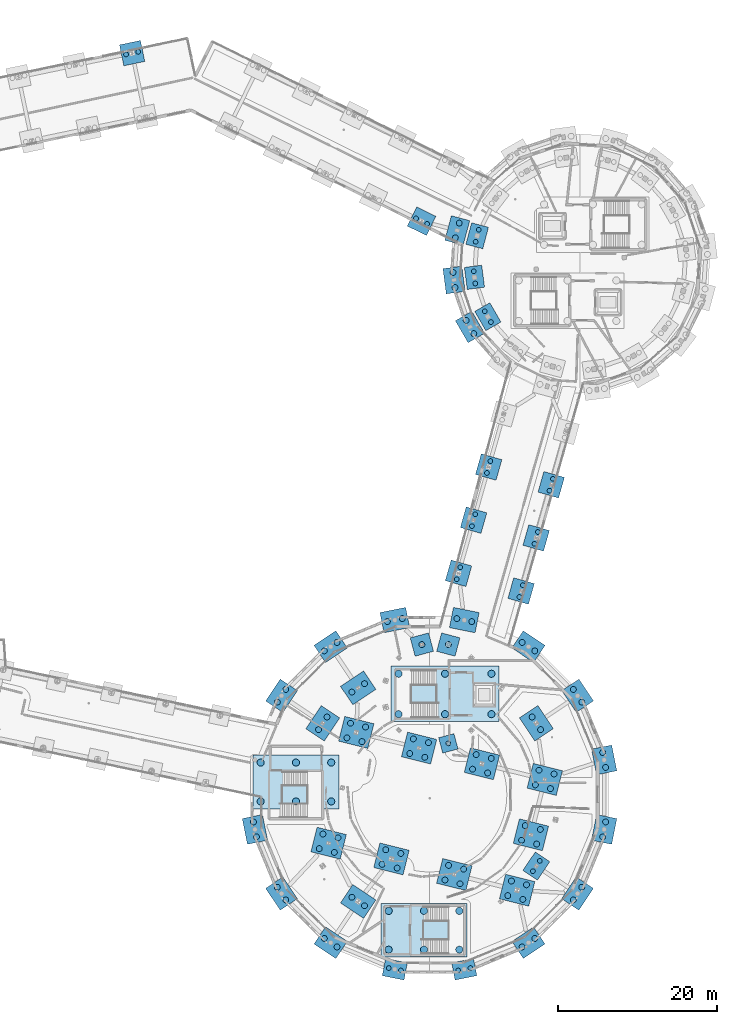
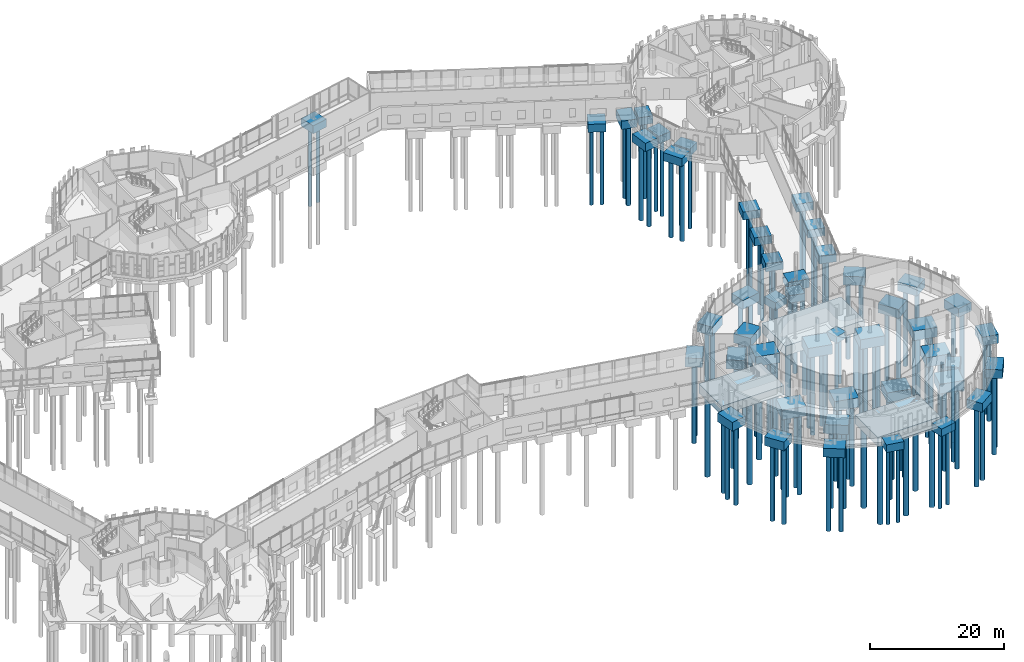
# One storey, part 3 of 113: 125 piles, 49 footings.
"""IFC4 building model written with IfcOpenShell, lengths in metres."""

from ifc_helpers import new_model, si_unit, direction, frame, origin, origin_2d, place, context, subcontext, project, spatial, rectangle, circle, extrude, material, material_profile, profile_set, type_object, element, save


model = new_model("IFC4")

# Units and contexts
model_context = context("Model", 3, precision=1e-05, world=origin(), true_north=direction((0.0, 1.0)))
body_context = subcontext(model_context, "Body", "Model", "MODEL_VIEW")
ifc_project = project(units=[si_unit("LENGTHUNIT", "METRE"), si_unit("AREAUNIT", "SQUARE_METRE"), si_unit("VOLUMEUNIT", "CUBIC_METRE"), si_unit("PLANEANGLEUNIT", "RADIAN"), si_unit("MASSUNIT", "GRAM", prefix="KILO")], contexts=[model_context])

# Site, building, storey
site_placement = place(None, origin())
site = spatial("IfcSite", under=ifc_project, at=site_placement, CompositionType="ELEMENT")
building_placement = place(site_placement, origin())
building = spatial("IfcBuilding", under=site, at=building_placement, Name="Wrenclough Park School", CompositionType="ELEMENT")
storey_placement = place(building_placement, origin())
storey = spatial("IfcBuildingStorey", under=building, at=storey_placement, Name="L00", CompositionType="ELEMENT", Elevation=0.0)

# Footings
ifc_material_1 = material(Name="Concrete C35/45", Category="concrete")
footing_type_1 = type_object("IfcFootingType", Name="STR-PC-01", PredefinedType="PILE_CAP", material=ifc_material_1)
footing_1_placement = place(storey_placement, frame((157.869384765625, 32.9697265625, -1.2001953125), z_axis=(0.0, 0.0, 1.0), x_axis=(0.965925826289, 0.258819045103, 0.0)))
element("IfcFooting", 1, at=footing_1_placement, inside=storey, type_object=footing_type_1, Name="Column pile cap FTG-DRM-026", PredefinedType="PILE_CAP", context=body_context, shape_type="SweptSolid", body=[
    extrude(rectangle(XDim=2.0, YDim=2.0, at=origin_2d()), origin(), (0.0, 0.0, 1.0), 1.199951171875),
])
footing_type_2 = type_object("IfcFootingType", Name="STR-PC-02", PredefinedType="PILE_CAP", material=ifc_material_1)
for number, where, z_axis, x_axis, name in (
    (2, (157.869384765625, 45.43017578125, -1.35009765625), (0.0, 0.0, 1.0), (-0.965925826289, 0.258819045103, 0.0), "Column pile cap FTG-DRM-020"),
    (3, (154.530517578125, 45.43017578125, -1.35009765625), (0.0, 0.0, 1.0), (-0.965925826289, -0.258819045103, 0.0), "Column pile cap FTG-DRM-021"),
):
    element("IfcFooting", number, at=place(storey_placement, frame(where, z_axis=z_axis, x_axis=x_axis)), inside=storey, type_object=footing_type_2, Name=name, PredefinedType="PILE_CAP", context=body_context, shape_type="SweptSolid", body=[
        extrude(rectangle(XDim=2.39990234375, YDim=2.39990234375, at=origin_2d()), origin(), (0.0, 0.0, 1.0), 1.35009765625),
    ])
footing_type_3 = type_object("IfcFootingType", Name="STR-PC-03", PredefinedType="PILE_CAP", material=ifc_material_1)
for number, where, z_axis, x_axis, name in (
    (4, (159.155517578125, 54.418701171875, -1.4501953125), (0.0, 0.0, 1.0), (0.272784025857, 0.962075296033, 0.0), "Column pile cap FTG-DRM-180"),
    (5, (167.04443359375, 52.181396484375, -1.4501953125), (0.0, 0.0, 1.0), (0.272784025857, 0.962075296033, 0.0), "Column pile cap FTG-DRM-181"),
    (6, (161.055419921875, 61.11865234375, -1.4501953125), (0.0, 0.0, 1.0), (0.272784025857, 0.962075296033, 0.0), "Column pile cap FTG-DRM-182"),
    (7, (168.944580078125, 58.88134765625, -1.4501953125), (0.0, 0.0, 1.0), (0.272784025857, 0.962075296033, 0.0), "Column pile cap FTG-DRM-183"),
    (8, (162.95556640625, 67.818603515625, -1.4501953125), (0.0, 0.0, 1.0), (0.272784025857, 0.962075296033, 0.0), "Column pile cap FTG-DRM-184"),
    (9, (170.844482421875, 65.581298828125, -1.4501953125), (0.0, 0.0, 1.0), (0.272784025857, 0.962075296033, 0.0), "Column pile cap FTG-DRM-185"),
    (10, (117.993408203125, 120.012939453125, -1.4501953125), (0.0, 0.0, 1.0), (0.978795946539, 0.204837728554, 0.0), "Column pile cap FTG-DRM-192"),
    (11, (154.494140625, 98.8251953125, -1.4501953125), (0.0, 0.0, 1.0), (0.896254315973, -0.443540529265, 0.0), "Column pile cap FTG-DRM-203"),
):
    element("IfcFooting", number, at=place(storey_placement, frame(where, z_axis=z_axis, x_axis=x_axis)), inside=storey, type_object=footing_type_3, Name=name, PredefinedType="PILE_CAP", context=body_context, shape_type="SweptSolid", body=[
        extrude(rectangle(XDim=2.699951171875, YDim=2.699951171875, at=origin_2d()), origin(), (0.0, 0.0, 1.0), 1.449951171875),
    ])
footing_type_4 = type_object("IfcFootingType", Name="STR-PC-05", PredefinedType="PILE_CAP", material=ifc_material_1)
for number, where, z_axis, x_axis, name in (
    (12, (158.996826171875, 97.654052734375, -1.5), (0.0, 0.0, 1.0), (-0.258819045103, -0.965925826289, 0.0), "Column pile cap FTG-DRM-118"),
    (13, (158.58740234375, 91.405029296875, -1.5), (0.0, 0.0, 1.0), (0.13052619222, -0.991444861374, 0.0), "Column pile cap FTG-DRM-119"),
    (14, (160.600341796875, 85.47509765625, -1.5), (0.0, 0.0, 1.0), (0.5, -0.866025403784, 0.0), "Column pile cap FTG-DRM-120"),
):
    element("IfcFooting", number, at=place(storey_placement, frame(where, z_axis=z_axis, x_axis=x_axis)), inside=storey, type_object=footing_type_4, Name=name, PredefinedType="PILE_CAP", context=body_context, shape_type="SweptSolid", body=[
        extrude(rectangle(XDim=3.199951171875, YDim=2.39990234375, at=origin_2d()), origin(), (0.0, 0.0, 1.0), 1.5),
    ])
footing_type_5 = type_object("IfcFootingType", Name="STR-PC-06", PredefinedType="PILE_CAP", material=ifc_material_1)
for number, where, z_axis, x_axis, name in (
    (15, (168.9697265625, 35.500244140625, -1.64990234375), (0.0, 0.0, 1.0), (-0.55557023302, 0.831469612303, 0.0), "Column pile cap FTG-DRM-059"),
    (16, (146.499755859375, 39.9697265625, -1.64990234375), (0.0, 0.0, 1.0), (-0.831469612303, -0.55557023302, 0.0), "Column pile cap FTG-DRM-061"),
    (17, (142.0302734375, 35.500244140625, -1.64990234375), (0.0, 0.0, 1.0), (-0.55557023302, -0.831469612303, 0.0), "Column pile cap FTG-DRM-062"),
    (18, (146.499755859375, 13.0302734375, -1.64990234375), (0.0, 0.0, 1.0), (0.831469612303, -0.55557023302, 0.0), "Column pile cap FTG-DRM-064"),
):
    element("IfcFooting", number, at=place(storey_placement, frame(where, z_axis=z_axis, x_axis=x_axis)), inside=storey, type_object=footing_type_5, Name=name, PredefinedType="PILE_CAP", context=body_context, shape_type="SweptSolid", body=[
        extrude(rectangle(XDim=3.5, YDim=2.800048828125, at=origin_2d()), origin(), (0.0, 0.0, 1.0), 1.64990234375),
    ])
footing_type_6 = type_object("IfcFootingType", Name="STR-PC-07", PredefinedType="PILE_CAP", material=ifc_material_1)
for number, where, z_axis, x_axis, name in (
    (19, (142.77197265625, 20.37744140625, -1.75), (0.0, 0.0, 1.0), (0.970295726276, -0.2419218956, 0.0), "Column pile cap FTG-DRM-001"),
    (20, (146.255615234375, 34.349609375, -1.75), (0.0, 0.0, 1.0), (0.970295726276, -0.2419218956, 0.0), "Column pile cap FTG-DRM-003"),
    (21, (150.696044921875, 18.401611328125, -1.75), (0.0, 0.0, 1.0), (0.970295726276, -0.2419218956, 0.0), "Column pile cap FTG-DRM-004"),
    (22, (154.1796875, 32.3740234375, -1.75), (0.0, 0.0, 1.0), (0.970295726276, -0.2419218956, 0.0), "Column pile cap FTG-DRM-005"),
    (23, (158.6201171875, 16.426025390625, -1.75), (0.0, 0.0, 1.0), (0.970295726276, -0.2419218956, 0.0), "Column pile cap FTG-DRM-006"),
    (24, (162.10400390625, 30.398193359375, -1.75), (0.0, 0.0, 1.0), (0.970295726276, -0.2419218956, 0.0), "Column pile cap FTG-DRM-007"),
    (25, (166.544189453125, 14.4501953125, -1.75), (0.0, 0.0, 1.0), (0.970295726276, -0.2419218956, 0.0), "Column pile cap FTG-DRM-008"),
    (26, (168.2861328125, 21.4365234375, -1.75), (0.0, 0.0, 1.0), (0.970295726276, -0.2419218956, 0.0), "Column pile cap FTG-DRM-009"),
    (27, (170.028076171875, 28.422607421875, -1.75), (0.0, 0.0, 1.0), (0.970295726276, -0.2419218956, 0.0), "Column pile cap FTG-DRM-010"),
):
    element("IfcFooting", number, at=place(storey_placement, frame(where, z_axis=z_axis, x_axis=x_axis)), inside=storey, type_object=footing_type_6, Name=name, PredefinedType="PILE_CAP", context=body_context, shape_type="SweptSolid", body=[
        extrude(rectangle(XDim=3.800048828125, YDim=3.199951171875, at=origin_2d()), origin(), (0.0, 0.0, 1.0), 1.75),
    ])
footing_type_7 = type_object("IfcFootingType", Name="STR-PC-09", PredefinedType="PILE_CAP", material=ifc_material_1)
for number, where, z_axis, x_axis, name in (
    (28, (151.1201171875, 4.4814453125, -1.39990234375), (0.0, 0.0, 1.0), (0.980785280403, -0.195090322016, 0.0), "Column pile cap FTG-DRM-054"),
    (29, (159.8798828125, 4.4814453125, -1.39990234375), (0.0, 0.0, 1.0), (0.980785280403, 0.195090322016, 0.0), "Column pile cap FTG-DRM-055"),
    (30, (168.9697265625, 17.499755859375, -1.39990234375), (0.0, 0.0, 1.0), (0.55557023302, 0.831469612303, 0.0), "Column pile cap FTG-DRM-066"),
    (31, (161.50830078125, 96.981201171875, -1.39990234375), (0.0, 0.0, 1.0), (-0.258819045103, -0.965925826289, 0.0), "Column pile cap FTG-DRM-134"),
    (32, (161.1650390625, 91.744384765625, -1.39990234375), (0.0, 0.0, 1.0), (0.13052619222, -0.991444861374, 0.0), "Column pile cap FTG-DRM-135"),
    (33, (162.85205078125, 86.77490234375, -1.39990234375), (0.0, 0.0, 1.0), (0.5, -0.866025403784, 0.0), "Column pile cap FTG-DRM-136"),
):
    element("IfcFooting", number, at=place(storey_placement, frame(where, z_axis=z_axis, x_axis=x_axis)), inside=storey, type_object=footing_type_7, Name=name, PredefinedType="PILE_CAP", context=body_context, shape_type="SweptSolid", body=[
        extrude(rectangle(XDim=2.800048828125, YDim=2.199951171875, at=origin_2d()), origin(), (0.0, 0.0, 1.0), 1.39990234375),
    ])
footing_type_8 = type_object("IfcFootingType", Name="STR-PC-10", PredefinedType="PILE_CAP", material=ifc_material_1)
for number, where, z_axis, x_axis, name in (
    (34, (177.5185546875, 30.8798828125, -1.60009765625), (0.0, 0.0, 1.0), (-0.195090322016, 0.980785280403, 0.0), "Column pile cap FTG-DRM-043"),
    (35, (174.16650390625, 38.97265625, -1.60009765625), (0.0, 0.0, 1.0), (-0.55557023302, 0.831469612303, 0.0), "Column pile cap FTG-DRM-044"),
    (36, (167.97265625, 45.16650390625, -1.60009765625), (0.0, 0.0, 1.0), (-0.831469612303, 0.55557023302, 0.0), "Column pile cap FTG-DRM-045"),
    (37, (159.8798828125, 48.5185546875, -1.60009765625), (0.0, 0.0, 1.0), (-0.980785280403, 0.195090322016, 0.0), "Column pile cap FTG-DRM-046"),
    (38, (151.1201171875, 48.5185546875, -1.60009765625), (0.0, 0.0, 1.0), (-0.980785280403, -0.195090322016, 0.0), "Column pile cap FTG-DRM-047"),
    (39, (143.02734375, 45.16650390625, -1.60009765625), (0.0, 0.0, 1.0), (-0.831469612303, -0.55557023302, 0.0), "Column pile cap FTG-DRM-048"),
    (40, (136.83349609375, 38.97265625, -1.60009765625), (0.0, 0.0, 1.0), (-0.55557023302, -0.831469612303, 0.0), "Column pile cap FTG-DRM-049"),
    (41, (133.4814453125, 22.1201171875, -1.60009765625), (0.0, 0.0, 1.0), (0.195090322016, -0.980785280403, 0.0), "Column pile cap FTG-DRM-051"),
    (42, (136.83349609375, 14.02734375, -1.60009765625), (0.0, 0.0, 1.0), (0.55557023302, -0.831469612303, 0.0), "Column pile cap FTG-DRM-052"),
    (43, (143.02734375, 7.83349609375, -1.60009765625), (0.0, 0.0, 1.0), (0.831469612303, -0.55557023302, 0.0), "Column pile cap FTG-DRM-053"),
    (44, (167.97265625, 7.83349609375, -1.60009765625), (0.0, 0.0, 1.0), (0.831469612303, 0.55557023302, 0.0), "Column pile cap FTG-DRM-056"),
    (45, (174.16650390625, 14.02734375, -1.60009765625), (0.0, 0.0, 1.0), (0.55557023302, 0.831469612303, 0.0), "Column pile cap FTG-DRM-057"),
    (46, (177.5185546875, 22.1201171875, -1.60009765625), (0.0, 0.0, 1.0), (0.195090322016, 0.980785280403, 0.0), "Column pile cap FTG-DRM-058"),
):
    element("IfcFooting", number, at=place(storey_placement, frame(where, z_axis=z_axis, x_axis=x_axis)), inside=storey, type_object=footing_type_8, Name=name, PredefinedType="PILE_CAP", context=body_context, shape_type="SweptSolid", body=[
        extrude(rectangle(XDim=3.300048828125, YDim=2.60009765625, at=origin_2d()), origin(), (0.0, 0.0, 1.0), 1.60009765625),
    ])
ifc_material_2 = material(Name="Concrete C40/50", Category="concrete")
footing_type_9 = type_object("IfcFootingType", Name="STR-PC-CORE1", PredefinedType="PILE_CAP", material=ifc_material_2)
footing_2_placement = place(storey_placement, frame((157.449951171875, 39.199951171875, -3.60009765625), z_axis=(0.0, 0.0, 1.0), x_axis=(1.0, 0.0, 0.0)))
element("IfcFooting", 47, at=footing_2_placement, inside=storey, type_object=footing_type_9, Name="Core C1 combined pile cap", PredefinedType="PILE_CAP", context=body_context, shape_type="SweptSolid", body=[
    extrude(rectangle(XDim=13.60009765625, YDim=7.0, at=origin_2d()), origin(), (0.0, 0.0, 1.0), 1.800048828125),
])
footing_type_10 = type_object("IfcFootingType", Name="STR-PC-CORE3", PredefinedType="PILE_CAP", material=ifc_material_2)
for number, where, z_axis, x_axis, name in (
    (48, (154.800048828125, 9.39990234375, -1.64990234375), (0.0, 0.0, 1.0), (1.0, 0.0, 0.0), "Core C1B combined pile cap"),
    (49, (138.64990234375, 28.10009765625, -1.64990234375), (0.0, 0.0, 1.0), (1.0, 0.0, 0.0), "Core C1C combined pile cap"),
):
    element("IfcFooting", number, at=place(storey_placement, frame(where, z_axis=z_axis, x_axis=x_axis)), inside=storey, type_object=footing_type_10, Name=name, PredefinedType="PILE_CAP", context=body_context, shape_type="SweptSolid", body=[
        extrude(rectangle(XDim=10.800048828125, YDim=6.800048828125, at=origin_2d()), origin(), (0.0, 0.0, 1.0), 1.64990234375),
    ])

# Piles
ifc_material_profile_1 = material_profile(ifc_material_1, circle(Radius=0.300048828125, at=origin_2d()), Name="BORED PILE D600")
ifc_profile_set_1 = profile_set([ifc_material_profile_1], Name="Concrete C35/45")
pile_type_1 = type_object("IfcPileType", Name="STR-PILE-600", PredefinedType="BORED", material=ifc_profile_set_1)
for number, where, z_axis, x_axis, name in (
    (50, (157.869384765625, 32.9697265625, -1.10009765625), (0.0, 0.0, -1.0), (1.0, 0.0, 0.0), "Rotary bored pile FTG-DRM-026-1"),
    (51, (150.355224609375, 4.633544921875, -1.300048828125), (0.0, 0.0, -1.0), (1.0, 0.0, 0.0), "Rotary bored pile FTG-DRM-054-1"),
    (52, (151.88525390625, 4.3291015625, -1.300048828125), (0.0, 0.0, -1.0), (1.0, 0.0, 0.0), "Rotary bored pile FTG-DRM-054-2"),
    (53, (159.11474609375, 4.3291015625, -1.300048828125), (0.0, 0.0, -1.0), (1.0, 0.0, 0.0), "Rotary bored pile FTG-DRM-055-1"),
    (54, (160.644775390625, 4.633544921875, -1.300048828125), (0.0, 0.0, -1.0), (1.0, 0.0, 0.0), "Rotary bored pile FTG-DRM-055-2"),
    (55, (168.53662109375, 16.851318359375, -1.300048828125), (0.0, 0.0, -1.0), (1.0, 0.0, 0.0), "Rotary bored pile FTG-DRM-066-1"),
    (56, (169.403076171875, 18.148193359375, -1.300048828125), (0.0, 0.0, -1.0), (1.0, 0.0, 0.0), "Rotary bored pile FTG-DRM-066-2"),
    (57, (161.710205078125, 97.734619140625, -1.300048828125), (0.0, 0.0, -1.0), (1.0, 0.0, 0.0), "Rotary bored pile FTG-DRM-134-1"),
    (58, (161.306396484375, 96.227783203125, -1.300048828125), (0.0, 0.0, -1.0), (1.0, 0.0, 0.0), "Rotary bored pile FTG-DRM-134-2"),
    (59, (161.063232421875, 92.517578125, -1.300048828125), (0.0, 0.0, -1.0), (1.0, 0.0, 0.0), "Rotary bored pile FTG-DRM-135-1"),
    (60, (161.266845703125, 90.97119140625, -1.300048828125), (0.0, 0.0, -1.0), (1.0, 0.0, 0.0), "Rotary bored pile FTG-DRM-135-2"),
    (61, (162.4619140625, 87.450439453125, -1.300048828125), (0.0, 0.0, -1.0), (1.0, 0.0, 0.0), "Rotary bored pile FTG-DRM-136-1"),
    (62, (163.241943359375, 86.099609375, -1.300048828125), (0.0, 0.0, -1.0), (1.0, 0.0, 0.0), "Rotary bored pile FTG-DRM-136-2"),
):
    element("IfcPile", number, at=place(storey_placement, frame(where, z_axis=z_axis, x_axis=x_axis)), inside=storey, type_object=pile_type_1, Name=name, PredefinedType="BORED", context=body_context, shape_type="SweptSolid", body=[
        extrude(circle(Radius=0.300048828125, at=origin_2d()), origin(), (0.0, 0.0, 1.0), 13.89990234375),
    ])
for number, where, z_axis, x_axis, name in (
    (63, (158.942626953125, 53.668212890625, -1.35009765625), (0.0, 0.0, -1.0), (1.0, 0.0, 0.0), "Rotary bored pile FTG-DRM-180-1"),
    (64, (159.368408203125, 55.1689453125, -1.35009765625), (0.0, 0.0, -1.0), (1.0, 0.0, 0.0), "Rotary bored pile FTG-DRM-180-2"),
    (65, (166.831787109375, 51.430908203125, -1.35009765625), (0.0, 0.0, -1.0), (1.0, 0.0, 0.0), "Rotary bored pile FTG-DRM-181-1"),
    (66, (167.25732421875, 52.931884765625, -1.35009765625), (0.0, 0.0, -1.0), (1.0, 0.0, 0.0), "Rotary bored pile FTG-DRM-181-2"),
    (67, (160.8427734375, 60.3681640625, -1.35009765625), (0.0, 0.0, -1.0), (1.0, 0.0, 0.0), "Rotary bored pile FTG-DRM-182-1"),
    (68, (161.268310546875, 61.868896484375, -1.35009765625), (0.0, 0.0, -1.0), (1.0, 0.0, 0.0), "Rotary bored pile FTG-DRM-182-2"),
    (69, (168.731689453125, 58.131103515625, -1.35009765625), (0.0, 0.0, -1.0), (1.0, 0.0, 0.0), "Rotary bored pile FTG-DRM-183-1"),
    (70, (169.1572265625, 59.6318359375, -1.35009765625), (0.0, 0.0, -1.0), (1.0, 0.0, 0.0), "Rotary bored pile FTG-DRM-183-2"),
    (71, (162.74267578125, 67.068115234375, -1.35009765625), (0.0, 0.0, -1.0), (1.0, 0.0, 0.0), "Rotary bored pile FTG-DRM-184-1"),
    (72, (163.168212890625, 68.569091796875, -1.35009765625), (0.0, 0.0, -1.0), (1.0, 0.0, 0.0), "Rotary bored pile FTG-DRM-184-2"),
    (73, (170.631591796875, 64.8310546875, -1.35009765625), (0.0, 0.0, -1.0), (1.0, 0.0, 0.0), "Rotary bored pile FTG-DRM-185-1"),
    (74, (171.057373046875, 66.331787109375, -1.35009765625), (0.0, 0.0, -1.0), (1.0, 0.0, 0.0), "Rotary bored pile FTG-DRM-185-2"),
    (75, (117.22998046875, 119.853271484375, -1.35009765625), (0.0, 0.0, -1.0), (1.0, 0.0, 0.0), "Rotary bored pile FTG-DRM-192-1"),
    (76, (118.7568359375, 120.1728515625, -1.35009765625), (0.0, 0.0, -1.0), (1.0, 0.0, 0.0), "Rotary bored pile FTG-DRM-192-2"),
    (77, (153.794921875, 99.17138671875, -1.35009765625), (0.0, 0.0, -1.0), (1.0, 0.0, 0.0), "Rotary bored pile FTG-DRM-203-1"),
    (78, (155.193115234375, 98.479248046875, -1.35009765625), (0.0, 0.0, -1.0), (1.0, 0.0, 0.0), "Rotary bored pile FTG-DRM-203-2"),
):
    element("IfcPile", number, at=place(storey_placement, frame(where, z_axis=z_axis, x_axis=x_axis)), inside=storey, type_object=pile_type_1, Name=name, PredefinedType="BORED", context=body_context, shape_type="SweptSolid", body=[
        extrude(circle(Radius=0.300048828125, at=origin_2d()), origin(), (0.0, 0.0, 1.0), 14.14990234375),
    ])
ifc_material_profile_2 = material_profile(ifc_material_1, circle(Radius=0.375, at=origin_2d()), Name="BORED PILE D750")
ifc_profile_set_2 = profile_set([ifc_material_profile_2], Name="Concrete C35/45")
pile_type_2 = type_object("IfcPileType", Name="STR-PILE-750", PredefinedType="BORED", material=ifc_profile_set_2)
for number, where, z_axis, x_axis, name in (
    (79, (141.59130859375, 19.692626953125, -1.64990234375), (0.0, 0.0, -1.0), (1.0, 0.0, 0.0), "Rotary bored pile FTG-DRM-001-1"),
    (80, (143.4931640625, 19.218505859375, -1.64990234375), (0.0, 0.0, -1.0), (1.0, 0.0, 0.0), "Rotary bored pile FTG-DRM-001-2"),
    (81, (142.05078125, 21.536376953125, -1.64990234375), (0.0, 0.0, -1.0), (1.0, 0.0, 0.0), "Rotary bored pile FTG-DRM-001-3"),
    (82, (143.95263671875, 21.06201171875, -1.64990234375), (0.0, 0.0, -1.0), (1.0, 0.0, 0.0), "Rotary bored pile FTG-DRM-001-4"),
    (83, (145.074951171875, 33.6650390625, -1.64990234375), (0.0, 0.0, -1.0), (1.0, 0.0, 0.0), "Rotary bored pile FTG-DRM-003-1"),
    (84, (146.976806640625, 33.19091796875, -1.64990234375), (0.0, 0.0, -1.0), (1.0, 0.0, 0.0), "Rotary bored pile FTG-DRM-003-2"),
    (85, (145.53466796875, 35.508544921875, -1.64990234375), (0.0, 0.0, -1.0), (1.0, 0.0, 0.0), "Rotary bored pile FTG-DRM-003-3"),
    (86, (147.436279296875, 35.034423828125, -1.64990234375), (0.0, 0.0, -1.0), (1.0, 0.0, 0.0), "Rotary bored pile FTG-DRM-003-4"),
    (87, (149.515380859375, 17.717041015625, -1.64990234375), (0.0, 0.0, -1.0), (1.0, 0.0, 0.0), "Rotary bored pile FTG-DRM-004-1"),
    (88, (151.417236328125, 17.242919921875, -1.64990234375), (0.0, 0.0, -1.0), (1.0, 0.0, 0.0), "Rotary bored pile FTG-DRM-004-2"),
    (89, (149.97509765625, 19.560546875, -1.64990234375), (0.0, 0.0, -1.0), (1.0, 0.0, 0.0), "Rotary bored pile FTG-DRM-004-3"),
    (90, (151.876708984375, 19.08642578125, -1.64990234375), (0.0, 0.0, -1.0), (1.0, 0.0, 0.0), "Rotary bored pile FTG-DRM-004-4"),
    (91, (152.9990234375, 31.689208984375, -1.64990234375), (0.0, 0.0, -1.0), (1.0, 0.0, 0.0), "Rotary bored pile FTG-DRM-005-1"),
    (92, (154.90087890625, 31.215087890625, -1.64990234375), (0.0, 0.0, -1.0), (1.0, 0.0, 0.0), "Rotary bored pile FTG-DRM-005-2"),
    (93, (153.458740234375, 33.532958984375, -1.64990234375), (0.0, 0.0, -1.0), (1.0, 0.0, 0.0), "Rotary bored pile FTG-DRM-005-3"),
    (94, (155.360595703125, 33.05859375, -1.64990234375), (0.0, 0.0, -1.0), (1.0, 0.0, 0.0), "Rotary bored pile FTG-DRM-005-4"),
    (95, (157.439453125, 15.7412109375, -1.64990234375), (0.0, 0.0, -1.0), (1.0, 0.0, 0.0), "Rotary bored pile FTG-DRM-006-1"),
    (96, (159.34130859375, 15.26708984375, -1.64990234375), (0.0, 0.0, -1.0), (1.0, 0.0, 0.0), "Rotary bored pile FTG-DRM-006-2"),
    (97, (157.899169921875, 17.5849609375, -1.64990234375), (0.0, 0.0, -1.0), (1.0, 0.0, 0.0), "Rotary bored pile FTG-DRM-006-3"),
    (98, (159.80078125, 17.110595703125, -1.64990234375), (0.0, 0.0, -1.0), (1.0, 0.0, 0.0), "Rotary bored pile FTG-DRM-006-4"),
    (99, (160.923095703125, 29.713623046875, -1.64990234375), (0.0, 0.0, -1.0), (1.0, 0.0, 0.0), "Rotary bored pile FTG-DRM-007-1"),
    (100, (162.824951171875, 29.239501953125, -1.64990234375), (0.0, 0.0, -1.0), (1.0, 0.0, 0.0), "Rotary bored pile FTG-DRM-007-2"),
    (101, (161.3828125, 31.55712890625, -1.64990234375), (0.0, 0.0, -1.0), (1.0, 0.0, 0.0), "Rotary bored pile FTG-DRM-007-3"),
    (102, (163.28466796875, 31.0830078125, -1.64990234375), (0.0, 0.0, -1.0), (1.0, 0.0, 0.0), "Rotary bored pile FTG-DRM-007-4"),
    (103, (165.363525390625, 13.765625, -1.64990234375), (0.0, 0.0, -1.0), (1.0, 0.0, 0.0), "Rotary bored pile FTG-DRM-008-1"),
    (104, (167.265380859375, 13.29150390625, -1.64990234375), (0.0, 0.0, -1.0), (1.0, 0.0, 0.0), "Rotary bored pile FTG-DRM-008-2"),
    (105, (165.8232421875, 15.609130859375, -1.64990234375), (0.0, 0.0, -1.0), (1.0, 0.0, 0.0), "Rotary bored pile FTG-DRM-008-3"),
    (106, (167.72509765625, 15.135009765625, -1.64990234375), (0.0, 0.0, -1.0), (1.0, 0.0, 0.0), "Rotary bored pile FTG-DRM-008-4"),
    (107, (167.10546875, 20.751708984375, -1.64990234375), (0.0, 0.0, -1.0), (1.0, 0.0, 0.0), "Rotary bored pile FTG-DRM-009-1"),
    (108, (169.007080078125, 20.277587890625, -1.64990234375), (0.0, 0.0, -1.0), (1.0, 0.0, 0.0), "Rotary bored pile FTG-DRM-009-2"),
    (109, (167.56494140625, 22.595458984375, -1.64990234375), (0.0, 0.0, -1.0), (1.0, 0.0, 0.0), "Rotary bored pile FTG-DRM-009-3"),
    (110, (169.466796875, 22.12109375, -1.64990234375), (0.0, 0.0, -1.0), (1.0, 0.0, 0.0), "Rotary bored pile FTG-DRM-009-4"),
    (111, (168.847412109375, 27.73779296875, -1.64990234375), (0.0, 0.0, -1.0), (1.0, 0.0, 0.0), "Rotary bored pile FTG-DRM-010-1"),
    (112, (170.7490234375, 27.263671875, -1.64990234375), (0.0, 0.0, -1.0), (1.0, 0.0, 0.0), "Rotary bored pile FTG-DRM-010-2"),
    (113, (169.306884765625, 29.58154296875, -1.64990234375), (0.0, 0.0, -1.0), (1.0, 0.0, 0.0), "Rotary bored pile FTG-DRM-010-3"),
    (114, (171.208740234375, 29.107421875, -1.64990234375), (0.0, 0.0, -1.0), (1.0, 0.0, 0.0), "Rotary bored pile FTG-DRM-010-4"),
):
    element("IfcPile", number, at=place(storey_placement, frame(where, z_axis=z_axis, x_axis=x_axis)), inside=storey, type_object=pile_type_2, Name=name, PredefinedType="BORED", context=body_context, shape_type="SweptSolid", body=[
        extrude(circle(Radius=0.375, at=origin_2d()), origin(), (0.0, 0.0, 1.0), 14.550048828125),
    ])
for number, where, z_axis, x_axis, name in (
    (115, (157.869384765625, 45.43017578125, -1.25), (0.0, 0.0, -1.0), (1.0, 0.0, 0.0), "Rotary bored pile FTG-DRM-020-1"),
    (116, (154.530517578125, 45.43017578125, -1.25), (0.0, 0.0, -1.0), (1.0, 0.0, 0.0), "Rotary bored pile FTG-DRM-021-1"),
):
    element("IfcPile", number, at=place(storey_placement, frame(where, z_axis=z_axis, x_axis=x_axis)), inside=storey, type_object=pile_type_2, Name=name, PredefinedType="BORED", context=body_context, shape_type="SweptSolid", body=[
        extrude(circle(Radius=0.375, at=origin_2d()), origin(), (0.0, 0.0, 1.0), 13.75),
    ])
for number, where, z_axis, x_axis, name in (
    (117, (177.705810546875, 29.938232421875, -1.5), (0.0, 0.0, -1.0), (1.0, 0.0, 0.0), "Rotary bored pile FTG-DRM-043-1"),
    (118, (177.331298828125, 31.8212890625, -1.5), (0.0, 0.0, -1.0), (1.0, 0.0, 0.0), "Rotary bored pile FTG-DRM-043-2"),
    (119, (174.69970703125, 38.17431640625, -1.5), (0.0, 0.0, -1.0), (1.0, 0.0, 0.0), "Rotary bored pile FTG-DRM-044-1"),
    (120, (173.63330078125, 39.770751953125, -1.5), (0.0, 0.0, -1.0), (1.0, 0.0, 0.0), "Rotary bored pile FTG-DRM-044-2"),
    (121, (168.770751953125, 44.63330078125, -1.5), (0.0, 0.0, -1.0), (1.0, 0.0, 0.0), "Rotary bored pile FTG-DRM-045-1"),
    (122, (167.17431640625, 45.69970703125, -1.5), (0.0, 0.0, -1.0), (1.0, 0.0, 0.0), "Rotary bored pile FTG-DRM-045-2"),
    (123, (160.8212890625, 48.331298828125, -1.5), (0.0, 0.0, -1.0), (1.0, 0.0, 0.0), "Rotary bored pile FTG-DRM-046-1"),
    (124, (158.938232421875, 48.705810546875, -1.5), (0.0, 0.0, -1.0), (1.0, 0.0, 0.0), "Rotary bored pile FTG-DRM-046-2"),
    (125, (152.061767578125, 48.705810546875, -1.5), (0.0, 0.0, -1.0), (1.0, 0.0, 0.0), "Rotary bored pile FTG-DRM-047-1"),
    (126, (150.1787109375, 48.331298828125, -1.5), (0.0, 0.0, -1.0), (1.0, 0.0, 0.0), "Rotary bored pile FTG-DRM-047-2"),
    (127, (143.82568359375, 45.69970703125, -1.5), (0.0, 0.0, -1.0), (1.0, 0.0, 0.0), "Rotary bored pile FTG-DRM-048-1"),
    (128, (142.229248046875, 44.63330078125, -1.5), (0.0, 0.0, -1.0), (1.0, 0.0, 0.0), "Rotary bored pile FTG-DRM-048-2"),
    (129, (137.36669921875, 39.770751953125, -1.5), (0.0, 0.0, -1.0), (1.0, 0.0, 0.0), "Rotary bored pile FTG-DRM-049-1"),
    (130, (136.30029296875, 38.17431640625, -1.5), (0.0, 0.0, -1.0), (1.0, 0.0, 0.0), "Rotary bored pile FTG-DRM-049-2"),
    (131, (133.294189453125, 23.061767578125, -1.5), (0.0, 0.0, -1.0), (1.0, 0.0, 0.0), "Rotary bored pile FTG-DRM-051-1"),
    (132, (133.668701171875, 21.1787109375, -1.5), (0.0, 0.0, -1.0), (1.0, 0.0, 0.0), "Rotary bored pile FTG-DRM-051-2"),
    (133, (136.30029296875, 14.82568359375, -1.5), (0.0, 0.0, -1.0), (1.0, 0.0, 0.0), "Rotary bored pile FTG-DRM-052-1"),
    (134, (137.36669921875, 13.229248046875, -1.5), (0.0, 0.0, -1.0), (1.0, 0.0, 0.0), "Rotary bored pile FTG-DRM-052-2"),
    (135, (142.229248046875, 8.36669921875, -1.5), (0.0, 0.0, -1.0), (1.0, 0.0, 0.0), "Rotary bored pile FTG-DRM-053-1"),
    (136, (143.82568359375, 7.30029296875, -1.5), (0.0, 0.0, -1.0), (1.0, 0.0, 0.0), "Rotary bored pile FTG-DRM-053-2"),
    (137, (167.17431640625, 7.30029296875, -1.5), (0.0, 0.0, -1.0), (1.0, 0.0, 0.0), "Rotary bored pile FTG-DRM-056-1"),
    (138, (168.770751953125, 8.36669921875, -1.5), (0.0, 0.0, -1.0), (1.0, 0.0, 0.0), "Rotary bored pile FTG-DRM-056-2"),
    (139, (173.63330078125, 13.229248046875, -1.5), (0.0, 0.0, -1.0), (1.0, 0.0, 0.0), "Rotary bored pile FTG-DRM-057-1"),
    (140, (174.69970703125, 14.82568359375, -1.5), (0.0, 0.0, -1.0), (1.0, 0.0, 0.0), "Rotary bored pile FTG-DRM-057-2"),
    (141, (177.331298828125, 21.1787109375, -1.5), (0.0, 0.0, -1.0), (1.0, 0.0, 0.0), "Rotary bored pile FTG-DRM-058-1"),
    (142, (177.705810546875, 23.061767578125, -1.5), (0.0, 0.0, -1.0), (1.0, 0.0, 0.0), "Rotary bored pile FTG-DRM-058-2"),
):
    element("IfcPile", number, at=place(storey_placement, frame(where, z_axis=z_axis, x_axis=x_axis)), inside=storey, type_object=pile_type_2, Name=name, PredefinedType="BORED", context=body_context, shape_type="SweptSolid", body=[
        extrude(circle(Radius=0.375, at=origin_2d()), origin(), (0.0, 0.0, 1.0), 14.300048828125),
    ])
for number, where, z_axis, x_axis, name in (
    (143, (169.503173828125, 34.701904296875, -1.550048828125), (0.0, 0.0, -1.0), (1.0, 0.0, 0.0), "Rotary bored pile FTG-DRM-059-1"),
    (144, (168.4365234375, 36.29833984375, -1.550048828125), (0.0, 0.0, -1.0), (1.0, 0.0, 0.0), "Rotary bored pile FTG-DRM-059-2"),
    (145, (147.298095703125, 40.503173828125, -1.550048828125), (0.0, 0.0, -1.0), (1.0, 0.0, 0.0), "Rotary bored pile FTG-DRM-061-1"),
    (146, (145.70166015625, 39.4365234375, -1.550048828125), (0.0, 0.0, -1.0), (1.0, 0.0, 0.0), "Rotary bored pile FTG-DRM-061-2"),
    (147, (142.5634765625, 36.29833984375, -1.550048828125), (0.0, 0.0, -1.0), (1.0, 0.0, 0.0), "Rotary bored pile FTG-DRM-062-1"),
    (148, (141.496826171875, 34.701904296875, -1.550048828125), (0.0, 0.0, -1.0), (1.0, 0.0, 0.0), "Rotary bored pile FTG-DRM-062-2"),
    (149, (145.70166015625, 13.5634765625, -1.550048828125), (0.0, 0.0, -1.0), (1.0, 0.0, 0.0), "Rotary bored pile FTG-DRM-064-1"),
    (150, (147.298095703125, 12.496826171875, -1.550048828125), (0.0, 0.0, -1.0), (1.0, 0.0, 0.0), "Rotary bored pile FTG-DRM-064-2"),
):
    element("IfcPile", number, at=place(storey_placement, frame(where, z_axis=z_axis, x_axis=x_axis)), inside=storey, type_object=pile_type_2, Name=name, PredefinedType="BORED", context=body_context, shape_type="SweptSolid", body=[
        extrude(circle(Radius=0.375, at=origin_2d()), origin(), (0.0, 0.0, 1.0), 14.449951171875),
    ])
for number, where, z_axis, x_axis, name in (
    (151, (159.245361328125, 98.581298828125, -1.39990234375), (0.0, 0.0, -1.0), (1.0, 0.0, 0.0), "Rotary bored pile FTG-DRM-118-1"),
    (152, (158.748291015625, 96.726806640625, -1.39990234375), (0.0, 0.0, -1.0), (1.0, 0.0, 0.0), "Rotary bored pile FTG-DRM-118-2"),
    (153, (158.4619140625, 92.35693359375, -1.39990234375), (0.0, 0.0, -1.0), (1.0, 0.0, 0.0), "Rotary bored pile FTG-DRM-119-1"),
    (154, (158.712646484375, 90.453369140625, -1.39990234375), (0.0, 0.0, -1.0), (1.0, 0.0, 0.0), "Rotary bored pile FTG-DRM-119-2"),
    (155, (160.120361328125, 86.306396484375, -1.39990234375), (0.0, 0.0, -1.0), (1.0, 0.0, 0.0), "Rotary bored pile FTG-DRM-120-1"),
    (156, (161.080322265625, 84.6435546875, -1.39990234375), (0.0, 0.0, -1.0), (1.0, 0.0, 0.0), "Rotary bored pile FTG-DRM-120-2"),
):
    element("IfcPile", number, at=place(storey_placement, frame(where, z_axis=z_axis, x_axis=x_axis)), inside=storey, type_object=pile_type_2, Name=name, PredefinedType="BORED", context=body_context, shape_type="SweptSolid", body=[
        extrude(circle(Radius=0.375, at=origin_2d()), origin(), (0.0, 0.0, 1.0), 14.39990234375),
    ])
ifc_material_profile_3 = material_profile(ifc_material_1, circle(Radius=0.449951171875, at=origin_2d()), Name="BORED PILE D900")
ifc_profile_set_3 = profile_set([ifc_material_profile_3], Name="Concrete C35/45")
pile_type_3 = type_object("IfcPileType", Name="STR-PILE-900", PredefinedType="BORED", material=ifc_profile_set_3)
for number, where, z_axis, x_axis, name in (
    (157, (151.60009765625, 36.64990234375, -3.5), (0.0, 0.0, -1.0), (1.0, 0.0, 0.0), "Core C1 rotary bored pile 1"),
    (158, (151.60009765625, 41.75, -3.5), (0.0, 0.0, -1.0), (1.0, 0.0, 0.0), "Core C1 rotary bored pile 2"),
    (159, (157.449951171875, 36.64990234375, -3.5), (0.0, 0.0, -1.0), (1.0, 0.0, 0.0), "Core C1 rotary bored pile 3"),
    (160, (157.449951171875, 41.75, -3.5), (0.0, 0.0, -1.0), (1.0, 0.0, 0.0), "Core C1 rotary bored pile 4"),
    (161, (163.300048828125, 36.64990234375, -3.5), (0.0, 0.0, -1.0), (1.0, 0.0, 0.0), "Core C1 rotary bored pile 5"),
    (162, (163.300048828125, 41.75, -3.5), (0.0, 0.0, -1.0), (1.0, 0.0, 0.0), "Core C1 rotary bored pile 6"),
):
    element("IfcPile", number, at=place(storey_placement, frame(where, z_axis=z_axis, x_axis=x_axis)), inside=storey, type_object=pile_type_3, Name=name, PredefinedType="BORED", context=body_context, shape_type="SweptSolid", body=[
        extrude(circle(Radius=0.449951171875, at=origin_2d()), origin(), (0.0, 0.0, 1.0), 13.0),
    ])
for number, where, z_axis, x_axis, name in (
    (163, (150.35009765625, 6.949951171875, -1.550048828125), (0.0, 0.0, -1.0), (1.0, 0.0, 0.0), "Core C1B rotary bored pile 1"),
    (164, (150.35009765625, 11.85009765625, -1.550048828125), (0.0, 0.0, -1.0), (1.0, 0.0, 0.0), "Core C1B rotary bored pile 2"),
    (165, (154.800048828125, 6.949951171875, -1.550048828125), (0.0, 0.0, -1.0), (1.0, 0.0, 0.0), "Core C1B rotary bored pile 3"),
    (166, (154.800048828125, 11.85009765625, -1.550048828125), (0.0, 0.0, -1.0), (1.0, 0.0, 0.0), "Core C1B rotary bored pile 4"),
    (167, (159.25, 6.949951171875, -1.550048828125), (0.0, 0.0, -1.0), (1.0, 0.0, 0.0), "Core C1B rotary bored pile 5"),
    (168, (159.25, 11.85009765625, -1.550048828125), (0.0, 0.0, -1.0), (1.0, 0.0, 0.0), "Core C1B rotary bored pile 6"),
    (169, (134.199951171875, 25.64990234375, -1.550048828125), (0.0, 0.0, -1.0), (1.0, 0.0, 0.0), "Core C1C rotary bored pile 1"),
    (170, (134.199951171875, 30.550048828125, -1.550048828125), (0.0, 0.0, -1.0), (1.0, 0.0, 0.0), "Core C1C rotary bored pile 2"),
    (171, (138.64990234375, 25.64990234375, -1.550048828125), (0.0, 0.0, -1.0), (1.0, 0.0, 0.0), "Core C1C rotary bored pile 3"),
    (172, (138.64990234375, 30.550048828125, -1.550048828125), (0.0, 0.0, -1.0), (1.0, 0.0, 0.0), "Core C1C rotary bored pile 4"),
    (173, (143.10009765625, 25.64990234375, -1.550048828125), (0.0, 0.0, -1.0), (1.0, 0.0, 0.0), "Core C1C rotary bored pile 5"),
    (174, (143.10009765625, 30.550048828125, -1.550048828125), (0.0, 0.0, -1.0), (1.0, 0.0, 0.0), "Core C1C rotary bored pile 6"),
):
    element("IfcPile", number, at=place(storey_placement, frame(where, z_axis=z_axis, x_axis=x_axis)), inside=storey, type_object=pile_type_3, Name=name, PredefinedType="BORED", context=body_context, shape_type="SweptSolid", body=[
        extrude(circle(Radius=0.449951171875, at=origin_2d()), origin(), (0.0, 0.0, 1.0), 14.949951171875),
    ])

save(model, "model.ifc")
